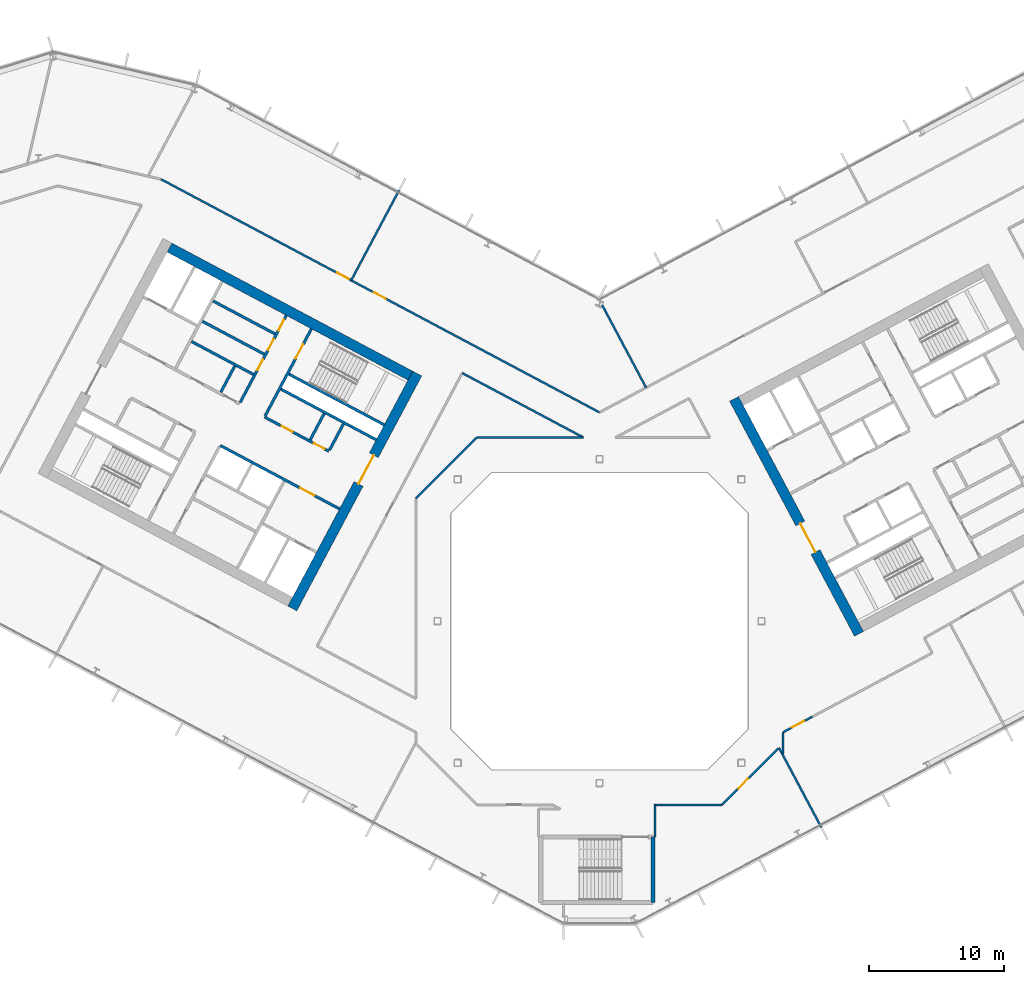
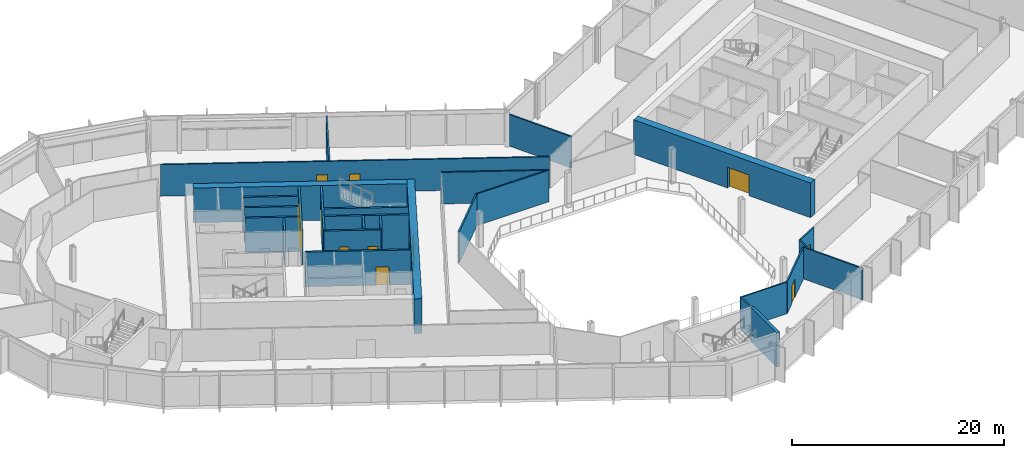
# One storey, part 15 of 28: 28 walls, 13 doors, 13 openings.
"""IFC4 building model written with IfcOpenShell, lengths in metres."""

from ifc_helpers import new_model, si_unit, direction, frame, frame_2d, origin, place, context, subcontext, project, spatial, rectangle, extrude, material, layer, layer_set, type_object, element, fill, save


model = new_model("IFC4")

# Units and contexts
model_context = context("Model", 3, precision=1e-05, world=origin(), true_north=direction((0.0, 1.0)))
body_context = subcontext(model_context, "Body", "Model", "MODEL_VIEW")
ifc_project = project(units=[si_unit("LENGTHUNIT", "METRE"), si_unit("AREAUNIT", "SQUARE_METRE"), si_unit("VOLUMEUNIT", "CUBIC_METRE"), si_unit("PLANEANGLEUNIT", "RADIAN"), si_unit("MASSUNIT", "GRAM", prefix="KILO")], contexts=[model_context])

# Site, building, storey
site_placement = place(None, origin())
site = spatial("IfcSite", under=ifc_project, at=site_placement, CompositionType="ELEMENT")
building_placement = place(site_placement, origin())
building = spatial("IfcBuilding", under=site, at=building_placement, Name="Cormorant Relay Tower", CompositionType="ELEMENT")
storey_placement = place(building_placement, frame((0.0, 0.0, 150.199951171875)))
storey = spatial("IfcBuildingStorey", under=building, at=storey_placement, Name="L31", CompositionType="ELEMENT", Elevation=150.199951171875)

# Walls
ifc_material_1 = material(Name="Concrete 40 MPa", Category="concrete")
ifc_layer_1 = layer(ifc_material_1, 0.199951171875)
ifc_layer_set_1 = layer_set([ifc_layer_1], Name="Core internal wall 200")
wall_type_1 = type_object("IfcWallType", Name="Core internal wall 200", PredefinedType="SOLIDWALL", material=ifc_layer_set_1)
for number, where, z_axis, x_axis, name in (
    (1, (-20.39013671875, 15.371826171875, 0.0), (0.0, 0.0, 1.0), (-0.4694473164, -0.882960484464, 0.0), "L31 core A shaft and room wall"),
    (2, (-27.01220703125, 18.892822265625, 0.0), (0.0, 0.0, 1.0), (-0.4694473164, -0.882960484464, 0.0), "L31 core A shaft and room wall"),
):
    element("IfcWall", number, at=place(storey_placement, frame(where, z_axis=z_axis, x_axis=x_axis)), inside=storey, type_object=wall_type_1, Name=name, PredefinedType="SOLIDWALL", context=body_context, shape_type="SweptSolid", body=[
        extrude(rectangle(XDim=2.199951171875, YDim=0.199951171875, at=frame_2d((1.10009765625, 0.0))), origin(), (0.0, 0.0, 1.0), 4.0),
    ])
for number, where, z_axis, x_axis, name in (
    (3, (-24.02685546875, 21.26953125, 0.0), (0.0, 0.0, 1.0), (-0.882934506056, 0.469496174655, 0.0), "L31 core A shaft and room wall"),
    (4, (-24.824951171875, 19.7685546875, 0.0), (0.0, 0.0, 1.0), (-0.882934506056, 0.469496174655, 0.0), "L31 core A shaft and room wall"),
):
    element("IfcWall", number, at=place(storey_placement, frame(where, z_axis=z_axis, x_axis=x_axis)), inside=storey, type_object=wall_type_1, Name=name, PredefinedType="SOLIDWALL", context=body_context, shape_type="SweptSolid", body=[
        extrude(rectangle(XDim=5.199951171875, YDim=0.199951171875, at=frame_2d((2.60009765625, 0.0))), origin(), (0.0, 0.0, 1.0), 4.0),
    ])
ifc_material_2 = material(Name="Concrete 50 MPa", Category="concrete")
ifc_layer_2 = layer(ifc_material_2, 0.199951171875)
ifc_layer_set_2 = layer_set([ifc_layer_2], Name="Core shaft wall 200")
wall_type_2 = type_object("IfcWallType", Name="Core shaft wall 200", PredefinedType="SHEAR", material=ifc_layer_set_2)
wall_1_placement = place(storey_placement, frame((-18.959716796875, 14.611328125, 0.0), z_axis=(0.0, 0.0, 1.0), x_axis=(-0.4694473164, -0.882960484464, 0.0)))
element("IfcWall", 5, at=wall_1_placement, inside=storey, type_object=wall_type_2, Name="L31 core A shaft wall", PredefinedType="SHEAR", context=body_context, shape_type="SweptSolid", body=[
    extrude(rectangle(XDim=2.199951171875, YDim=0.199951171875, at=frame_2d((1.10009765625, 0.0))), origin(), (0.0, 0.0, 1.0), 4.0),
])

# Wall, opening, door
wall_2_placement = place(storey_placement, frame((-21.333251953125, 21.6494140625, 0.0), z_axis=(0.0, 0.0, 1.0), x_axis=(-0.469494272526, -0.882935517501, 0.0)))
wall_2 = element("IfcWall", 6, at=wall_2_placement, inside=storey, type_object=wall_type_2, Name="L31 core A shaft wall", PredefinedType="SHEAR", context=body_context, shape_type="SweptSolid", body=[
    extrude(rectangle(XDim=7.2998046875, YDim=0.199951171875, at=frame_2d((3.64990234375, 0.0))), origin(), (0.0, 0.0, 1.0), 4.0),
])
opening_1_placement = place(wall_2_placement, frame((1.300048828125, 0.0, 0.0)))
opening_1 = element("IfcOpeningElement", 7, at=opening_1_placement, cuts=wall_2, Name="Opening CDB-034", PredefinedType="OPENING", context=body_context, shape_type="SweptSolid", body=[
    extrude(rectangle(XDim=1.199951171875, YDim=2.10009765625, at=frame_2d((0.60009765625, 1.050048828125))), frame((0.0, 0.10986328125, 0.0), z_axis=(0.0, -1.0, 0.0), x_axis=(1.0, 0.0, 0.0)), (0.0, 0.0, 1.0), 0.219970703125),
])
ifc_material_3 = material(Name="Steel fire door", Category="steel")
door_type_1 = type_object("IfcDoorType", Name="Core stair door 1200x2100", OperationType="SINGLE_SWING_LEFT", PredefinedType="DOOR", material=ifc_material_3)
door_1_placement = place(opening_1_placement, origin())
door_1 = element("IfcDoor", 8, at=door_1_placement, inside=storey, type_object=door_type_1, Name="Core stair door 1200x2100", OperationType="SINGLE_SWING_RIGHT", OverallHeight=2.10009765625, OverallWidth=1.199951171875, PredefinedType="DOOR", context=body_context, shape_type="SweptSolid", body=[
    extrude(rectangle(XDim=1.199951171875, YDim=2.10009765625, at=frame_2d((0.60009765625, 1.050048828125))), frame((0.0, 0.02490234375, 0.0), z_axis=(0.0, -1.0, 0.0), x_axis=(1.0, 0.0, 0.0)), (0.0, 0.0, 1.0), 0.050048828125),
])
fill(opening_1, door_1)

# Wall, openings, doors
wall_3_placement = place(storey_placement, frame((-23.1875, 22.635498046875, 0.0), z_axis=(0.0, 0.0, 1.0), x_axis=(-0.469454336211, -0.882956752176, 0.0)))
wall_3 = element("IfcWall", 9, at=wall_3_placement, inside=storey, type_object=wall_type_2, Name="L31 core A shaft wall", PredefinedType="SHEAR", context=body_context, shape_type="SweptSolid", body=[
    extrude(rectangle(XDim=7.300048828125, YDim=0.199951171875, at=frame_2d((3.64990234375, 0.0))), origin(), (0.0, 0.0, 1.0), 4.0),
])
opening_2_placement = place(wall_3_placement, frame((0.35009765625, 0.0, 0.0)))
opening_2 = element("IfcOpeningElement", 10, at=opening_2_placement, cuts=wall_3, Name="Opening CDD-198", PredefinedType="OPENING", context=body_context, shape_type="SweptSolid", body=[
    extrude(rectangle(XDim=0.89990234375, YDim=2.10009765625, at=frame_2d((0.449951171875, 1.050048828125))), frame((0.0, 0.10986328125, 0.0), z_axis=(0.0, -1.0, 0.0), x_axis=(1.0, 0.0, 0.0)), (0.0, 0.0, 1.0), 0.219970703125),
])
opening_3_placement = place(wall_3_placement, frame((2.0, 0.0, 0.0)))
opening_3 = element("IfcOpeningElement", 11, at=opening_3_placement, cuts=wall_3, Name="Opening CDD-199", PredefinedType="OPENING", context=body_context, shape_type="SweptSolid", body=[
    extrude(rectangle(XDim=0.89990234375, YDim=2.10009765625, at=frame_2d((0.449951171875, 1.050048828125))), frame((0.0, 0.10986328125, 0.0), z_axis=(0.0, -1.0, 0.0), x_axis=(1.0, 0.0, 0.0)), (0.0, 0.0, 1.0), 0.219970703125),
])
opening_4_placement = place(wall_3_placement, frame((3.699951171875, 0.0, 0.0)))
opening_4 = element("IfcOpeningElement", 12, at=opening_4_placement, cuts=wall_3, Name="Opening CDD-200", PredefinedType="OPENING", context=body_context, shape_type="SweptSolid", body=[
    extrude(rectangle(XDim=0.89990234375, YDim=2.10009765625, at=frame_2d((0.449951171875, 1.050048828125))), frame((0.0, 0.10986328125, 0.0), z_axis=(0.0, -1.0, 0.0), x_axis=(1.0, 0.0, 0.0)), (0.0, 0.0, 1.0), 0.219970703125),
])
ifc_material_4 = material(Name="Steel fire door", Category="steel")
door_type_2 = type_object("IfcDoorType", Name="Core room door 900x2100", OperationType="SINGLE_SWING_LEFT", PredefinedType="DOOR", material=ifc_material_4)
door_2_placement = place(opening_2_placement, origin())
door_2 = element("IfcDoor", 13, at=door_2_placement, inside=storey, type_object=door_type_2, Name="Core room door 900x2100", OperationType="SINGLE_SWING_LEFT", OverallHeight=2.10009765625, OverallWidth=0.89990234375, PredefinedType="DOOR", context=body_context, shape_type="SweptSolid", body=[
    extrude(rectangle(XDim=0.89990234375, YDim=2.10009765625, at=frame_2d((0.449951171875, 1.050048828125))), frame((0.0, 0.02490234375, 0.0), z_axis=(0.0, -1.0, 0.0), x_axis=(1.0, 0.0, 0.0)), (0.0, 0.0, 1.0), 0.050048828125),
])
fill(opening_2, door_2)
door_3_placement = place(opening_3_placement, origin())
door_3 = element("IfcDoor", 14, at=door_3_placement, inside=storey, type_object=door_type_2, Name="Core room door 900x2100", OperationType="SINGLE_SWING_LEFT", OverallHeight=2.10009765625, OverallWidth=0.89990234375, PredefinedType="DOOR", context=body_context, shape_type="SweptSolid", body=[
    extrude(rectangle(XDim=0.89990234375, YDim=2.10009765625, at=frame_2d((0.449951171875, 1.050048828125))), frame((0.0, 0.02490234375, 0.0), z_axis=(0.0, -1.0, 0.0), x_axis=(1.0, 0.0, 0.0)), (0.0, 0.0, 1.0), 0.050048828125),
])
fill(opening_3, door_3)
door_4_placement = place(opening_4_placement, origin())
door_4 = element("IfcDoor", 15, at=door_4_placement, inside=storey, type_object=door_type_2, Name="Core room door 900x2100", OperationType="SINGLE_SWING_LEFT", OverallHeight=2.10009765625, OverallWidth=0.89990234375, PredefinedType="DOOR", context=body_context, shape_type="SweptSolid", body=[
    extrude(rectangle(XDim=0.89990234375, YDim=2.10009765625, at=frame_2d((0.449951171875, 1.050048828125))), frame((0.0, 0.02490234375, 0.0), z_axis=(0.0, -1.0, 0.0), x_axis=(1.0, 0.0, 0.0)), (0.0, 0.0, 1.0), 0.050048828125),
])
fill(opening_4, door_4)

# Walls
wall_4_placement = place(storey_placement, frame((-15.94189453125, 14.53564453125, 0.0), z_axis=(0.0, 0.0, 1.0), x_axis=(-0.882946947542, 0.469472776449, 0.0)))
element("IfcWall", 16, at=wall_4_placement, inside=storey, type_object=wall_type_2, Name="L31 core A shaft wall", PredefinedType="SHEAR", context=body_context, shape_type="SweptSolid", body=[
    extrude(rectangle(XDim=8.000244140625, YDim=0.199951171875, at=frame_2d((4.0, 0.0))), origin(), (0.0, 0.0, 1.0), 4.0),
])
wall_5_placement = place(storey_placement, frame((-16.52880859375, 13.43212890625, 0.0), z_axis=(0.0, 0.0, 1.0), x_axis=(-0.88295287151, 0.469461634952, 0.0)))
element("IfcWall", 17, at=wall_5_placement, inside=storey, type_object=wall_type_2, Name="L31 core A shaft wall", PredefinedType="SHEAR", context=body_context, shape_type="SweptSolid", body=[
    extrude(rectangle(XDim=7.999755859375, YDim=0.199951171875, at=frame_2d((4.0, 0.0))), origin(), (0.0, 0.0, 1.0), 4.0),
])
wall_6_placement = place(storey_placement, frame((-25.623046875, 18.267578125, 0.0), z_axis=(0.0, 0.0, 1.0), x_axis=(-0.882953967957, 0.469459572775, 0.0)))
element("IfcWall", 18, at=wall_6_placement, inside=storey, type_object=wall_type_2, Name="L31 core A shaft wall", PredefinedType="SHEAR", context=body_context, shape_type="SweptSolid", body=[
    extrude(rectangle(XDim=5.199951171875, YDim=0.199951171875, at=frame_2d((2.60009765625, 0.0))), origin(), (0.0, 0.0, 1.0), 4.0),
])

# Wall, openings, doors
wall_7_placement = place(storey_placement, frame((-20.03955078125, 12.58056640625, 0.0), z_axis=(0.0, 0.0, 1.0), x_axis=(-0.882942972946, 0.469480251476, 0.0)))
wall_7 = element("IfcWall", 19, at=wall_7_placement, inside=storey, type_object=wall_type_2, Name="L31 core A shaft wall", PredefinedType="SHEAR", context=body_context, shape_type="SweptSolid", body=[
    extrude(rectangle(XDim=5.39990234375, YDim=0.199951171875, at=frame_2d((2.699951171875, 0.0))), origin(), (0.0, 0.0, 1.0), 4.0),
])
opening_5_placement = place(wall_7_placement, frame((0.360107421875, 0.0, 0.0)))
opening_5 = element("IfcOpeningElement", 20, at=opening_5_placement, cuts=wall_7, Name="Opening CDD-168", PredefinedType="OPENING", context=body_context, shape_type="SweptSolid", body=[
    extrude(rectangle(XDim=0.89990234375, YDim=2.10009765625, at=frame_2d((0.449951171875, 1.050048828125))), frame((0.0, 0.10986328125, 0.0), z_axis=(0.0, -1.0, 0.0), x_axis=(1.0, 0.0, 0.0)), (0.0, 0.0, 1.0), 0.219970703125),
])
opening_6_placement = place(wall_7_placement, frame((3.06005859375, 0.0, 0.0)))
opening_6 = element("IfcOpeningElement", 21, at=opening_6_placement, cuts=wall_7, Name="Opening CDD-169", PredefinedType="OPENING", context=body_context, shape_type="SweptSolid", body=[
    extrude(rectangle(XDim=0.89990234375, YDim=2.10009765625, at=frame_2d((0.449951171875, 1.050048828125))), frame((0.0, 0.10986328125, 0.0), z_axis=(0.0, -1.0, 0.0), x_axis=(1.0, 0.0, 0.0)), (0.0, 0.0, 1.0), 0.219970703125),
])
door_5_placement = place(opening_5_placement, origin())
door_5 = element("IfcDoor", 22, at=door_5_placement, inside=storey, type_object=door_type_2, Name="Core room door 900x2100", OperationType="SINGLE_SWING_LEFT", OverallHeight=2.10009765625, OverallWidth=0.89990234375, PredefinedType="DOOR", context=body_context, shape_type="SweptSolid", body=[
    extrude(rectangle(XDim=0.89990234375, YDim=2.10009765625, at=frame_2d((0.449951171875, 1.050048828125))), frame((0.0, 0.02490234375, 0.0), z_axis=(0.0, -1.0, 0.0), x_axis=(1.0, 0.0, 0.0)), (0.0, 0.0, 1.0), 0.050048828125),
])
fill(opening_5, door_5)
door_6_placement = place(opening_6_placement, origin())
door_6 = element("IfcDoor", 23, at=door_6_placement, inside=storey, type_object=door_type_2, Name="Core room door 900x2100", OperationType="SINGLE_SWING_LEFT", OverallHeight=2.10009765625, OverallWidth=0.89990234375, PredefinedType="DOOR", context=body_context, shape_type="SweptSolid", body=[
    extrude(rectangle(XDim=0.89990234375, YDim=2.10009765625, at=frame_2d((0.449951171875, 1.050048828125))), frame((0.0, 0.02490234375, 0.0), z_axis=(0.0, -1.0, 0.0), x_axis=(1.0, 0.0, 0.0)), (0.0, 0.0, 1.0), 0.050048828125),
])
fill(opening_6, door_6)

# Wall, opening, door
wall_8_placement = place(storey_placement, frame((-19.251708984375, 8.31103515625, 0.0), z_axis=(0.0, 0.0, 1.0), x_axis=(-0.882955722218, 0.469456273365, 0.0)))
wall_8 = element("IfcWall", 24, at=wall_8_placement, inside=storey, type_object=wall_type_2, Name="L31 core A shaft wall", PredefinedType="SHEAR", context=body_context, shape_type="SweptSolid", body=[
    extrude(rectangle(XDim=10.0, YDim=0.199951171875, at=frame_2d((5.0, 0.0))), origin(), (0.0, 0.0, 1.0), 4.0),
])
opening_7_placement = place(wall_8_placement, frame((2.10009765625, 0.0, 0.0)))
opening_7 = element("IfcOpeningElement", 25, at=opening_7_placement, cuts=wall_8, Name="Opening CDC-025", PredefinedType="OPENING", context=body_context, shape_type="SweptSolid", body=[
    extrude(rectangle(XDim=1.199951171875, YDim=2.10009765625, at=frame_2d((0.60009765625, 1.050048828125))), frame((0.0, 0.10986328125, 0.0), z_axis=(0.0, -1.0, 0.0), x_axis=(1.0, 0.0, 0.0)), (0.0, 0.0, 1.0), 0.219970703125),
])
ifc_material_5 = material(Name="Steel fire door", Category="steel")
door_type_3 = type_object("IfcDoorType", Name="Core lobby door 1200x2100", OperationType="SINGLE_SWING_LEFT", PredefinedType="DOOR", material=ifc_material_5)
door_7_placement = place(opening_7_placement, origin())
door_7 = element("IfcDoor", 26, at=door_7_placement, inside=storey, type_object=door_type_3, Name="Core lobby door 1200x2100", OperationType="SINGLE_SWING_RIGHT", OverallHeight=2.10009765625, OverallWidth=1.199951171875, PredefinedType="DOOR", context=body_context, shape_type="SweptSolid", body=[
    extrude(rectangle(XDim=1.199951171875, YDim=2.10009765625, at=frame_2d((0.60009765625, 1.050048828125))), frame((0.0, 0.02490234375, 0.0), z_axis=(0.0, -1.0, 0.0), x_axis=(1.0, 0.0, 0.0)), (0.0, 0.0, 1.0), 0.050048828125),
])
fill(opening_7, door_7)

ifc_material_6 = material(Name="Concrete 60 MPa", Category="concrete")
ifc_layer_3 = layer(ifc_material_6, 0.75)
ifc_layer_set_3 = layer_set([ifc_layer_3], Name="Core wall 750")
wall_type_3 = type_object("IfcWallType", Name="Core wall 750", PredefinedType="SHEAR", material=ifc_layer_set_3)
wall_9_placement = place(storey_placement, frame((-13.498291015625, 18.3330078125, 0.0), z_axis=(0.0, 0.0, 1.0), x_axis=(-0.469469918705, -0.88294846703, 0.0)))
wall_9 = element("IfcWall", 27, at=wall_9_placement, inside=storey, type_object=wall_type_3, Name="L31 core A wall", PredefinedType="SHEAR", context=body_context, shape_type="SweptSolid", body=[
    extrude(rectangle(XDim=19.699951171875, YDim=0.75, at=frame_2d((9.85009765625, 0.0))), origin(), (0.0, 0.0, 1.0), 4.0),
])
opening_8_placement = place(wall_9_placement, frame((6.85009765625, 0.0, 0.0)))
opening_8 = element("IfcOpeningElement", 28, at=opening_8_placement, cuts=wall_9, Name="Opening CDA-026", PredefinedType="OPENING", context=body_context, shape_type="SweptSolid", body=[
    extrude(rectangle(XDim=2.39990234375, YDim=2.39990234375, at=frame_2d((1.199951171875, 1.199951171875))), frame((0.0, 0.385009765625, 0.0), z_axis=(0.0, -1.0, 0.0), x_axis=(1.0, 0.0, 0.0)), (0.0, 0.0, 1.0), 0.77001953125),
])
ifc_material_7 = material(Name="Steel fire door", Category="steel")
door_type_4 = type_object("IfcDoorType", Name="Core lobby door 2400x2400", OperationType="DOUBLE_DOOR_SINGLE_SWING", PredefinedType="DOOR", material=ifc_material_7)
door_8_placement = place(opening_8_placement, origin())
door_8 = element("IfcDoor", 29, at=door_8_placement, inside=storey, type_object=door_type_4, Name="Core lobby door 2400x2400", OperationType="DOUBLE_DOOR_SINGLE_SWING", OverallHeight=2.39990234375, OverallWidth=2.39990234375, PredefinedType="DOOR", context=body_context, shape_type="SweptSolid", body=[
    extrude(rectangle(XDim=2.39990234375, YDim=2.39990234375, at=frame_2d((1.199951171875, 1.199951171875))), frame((0.0, 0.02490234375, 0.0), z_axis=(0.0, -1.0, 0.0), x_axis=(1.0, 0.0, 0.0)), (0.0, 0.0, 1.0), 0.050048828125),
])
fill(opening_8, door_8)

# Wall
wall_10_placement = place(storey_placement, frame((-14.00537109375, 18.177978515625, 0.0), z_axis=(0.0, 0.0, 1.0), x_axis=(-0.88295010195, 0.469466843842, 0.0)))
element("IfcWall", 30, at=wall_10_placement, inside=storey, type_object=wall_type_3, Name="L31 core A wall", PredefinedType="SHEAR", context=body_context, shape_type="SweptSolid", body=[
    extrude(rectangle(XDim=20.199951171875, YDim=0.75, at=frame_2d((10.10009765625, 0.0))), origin(), (0.0, 0.0, 1.0), 4.0),
])

# Wall, opening, door
wall_11_placement = place(storey_placement, frame((19.215087890625, -0.93896484375, 0.0), z_axis=(0.0, 0.0, 1.0), x_axis=(-0.469479580143, 0.882943329908, 0.0)))
wall_11 = element("IfcWall", 31, at=wall_11_placement, inside=storey, type_object=wall_type_3, Name="L31 core B wall", PredefinedType="SHEAR", context=body_context, shape_type="SweptSolid", body=[
    extrude(rectangle(XDim=19.699951171875, YDim=0.75, at=frame_2d((9.85009765625, 0.0))), origin(), (0.0, 0.0, 1.0), 4.0),
])
opening_9_placement = place(wall_11_placement, frame((6.85009765625, 0.0, 0.0)))
opening_9 = element("IfcOpeningElement", 32, at=opening_9_placement, cuts=wall_11, Name="Opening CDA-028", PredefinedType="OPENING", context=body_context, shape_type="SweptSolid", body=[
    extrude(rectangle(XDim=2.39990234375, YDim=2.39990234375, at=frame_2d((1.199951171875, 1.199951171875))), frame((0.0, 0.385009765625, 0.0), z_axis=(0.0, -1.0, 0.0), x_axis=(1.0, 0.0, 0.0)), (0.0, 0.0, 1.0), 0.77001953125),
])
door_9_placement = place(opening_9_placement, frame((2.39990234375, 0.0, 0.0), z_axis=(0.0, 0.0, 1.0), x_axis=(-1.0, 0.0, 0.0)))
door_9 = element("IfcDoor", 33, at=door_9_placement, inside=storey, type_object=door_type_4, Name="Core lobby door 2400x2400", OperationType="DOUBLE_DOOR_SINGLE_SWING", OverallHeight=2.39990234375, OverallWidth=2.39990234375, PredefinedType="DOOR", context=body_context, shape_type="SweptSolid", body=[
    extrude(rectangle(XDim=2.39990234375, YDim=2.39990234375, at=frame_2d((1.199951171875, 1.199951171875))), frame((0.0, 0.02490234375, 0.0), z_axis=(0.0, -1.0, 0.0), x_axis=(1.0, 0.0, 0.0)), (0.0, 0.0, 1.0), 0.050048828125),
])
fill(opening_9, door_9)

# Wall, openings, doors
ifc_material_8 = material(Name="Gypsum board fire partition")
ifc_layer_4 = layer(ifc_material_8, 0.14990234375)
ifc_layer_set_4 = layer_set([ifc_layer_4], Name="Corridor partition 150 EI 60")
wall_type_4 = type_object("IfcWallType", Name="Corridor partition 150 EI 60", PredefinedType="PARTITIONING", material=ifc_layer_set_4)
wall_12_placement = place(storey_placement, frame((-32.469970703125, 32.72412109375, 0.0), z_axis=(0.0, 0.0, 1.0), x_axis=(0.88295243426, -0.469462457321, 0.0)))
wall_12 = element("IfcWall", 34, at=wall_12_placement, inside=storey, type_object=wall_type_4, Name="wall/L31/part/032", PredefinedType="PARTITIONING", context=body_context, shape_type="SweptSolid", body=[
    extrude(rectangle(XDim=36.7744140625, YDim=0.14990234375, at=frame_2d((18.38720703125, 0.0))), origin(), (0.0, 0.0, 1.0), 3.64013671875),
])
opening_10_placement = place(wall_12_placement, frame((17.85009765625, 0.0, 0.0)))
opening_10 = element("IfcOpeningElement", 35, at=opening_10_placement, cuts=wall_12, Name="Opening DS-040", PredefinedType="OPENING", context=body_context, shape_type="SweptSolid", body=[
    extrude(rectangle(XDim=1.0, YDim=2.10009765625, at=frame_2d((0.5, 1.050048828125))), frame((0.0, 0.0849609375, 0.0), z_axis=(0.0, -1.0, 0.0), x_axis=(1.0, 0.0, 0.0)), (0.0, 0.0, 1.0), 0.169921875),
])
opening_11_placement = place(wall_12_placement, frame((14.75, 0.0, 0.0)))
opening_11 = element("IfcOpeningElement", 36, at=opening_11_placement, cuts=wall_12, Name="Opening DS-041", PredefinedType="OPENING", context=body_context, shape_type="SweptSolid", body=[
    extrude(rectangle(XDim=1.0, YDim=2.10009765625, at=frame_2d((0.5, 1.050048828125))), frame((0.0, 0.0849609375, 0.0), z_axis=(0.0, -1.0, 0.0), x_axis=(1.0, 0.0, 0.0)), (0.0, 0.0, 1.0), 0.169921875),
])
ifc_material_9 = material(Name="Timber door leaf", Category="wood")
door_type_5 = type_object("IfcDoorType", Name="Suite door 1000x2100", OperationType="SINGLE_SWING_LEFT", PredefinedType="DOOR", material=ifc_material_9)
door_10_placement = place(opening_10_placement, origin())
door_10 = element("IfcDoor", 37, at=door_10_placement, inside=storey, type_object=door_type_5, Name="door/L31/009", OperationType="SINGLE_SWING_RIGHT", OverallHeight=2.10009765625, OverallWidth=1.0, PredefinedType="DOOR", context=body_context, shape_type="SweptSolid", body=[
    extrude(rectangle(XDim=1.0, YDim=2.10009765625, at=frame_2d((0.5, 1.050048828125))), frame((0.0, 0.02490234375, 0.0), z_axis=(0.0, -1.0, 0.0), x_axis=(1.0, 0.0, 0.0)), (0.0, 0.0, 1.0), 0.050048828125),
])
fill(opening_10, door_10)
door_11_placement = place(opening_11_placement, origin())
door_11 = element("IfcDoor", 38, at=door_11_placement, inside=storey, type_object=door_type_5, Name="door/L31/010", OperationType="SINGLE_SWING_RIGHT", OverallHeight=2.10009765625, OverallWidth=1.0, PredefinedType="DOOR", context=body_context, shape_type="SweptSolid", body=[
    extrude(rectangle(XDim=1.0, YDim=2.10009765625, at=frame_2d((0.5, 1.050048828125))), frame((0.0, 0.02490234375, 0.0), z_axis=(0.0, -1.0, 0.0), x_axis=(1.0, 0.0, 0.0)), (0.0, 0.0, 1.0), 0.050048828125),
])
fill(opening_11, door_11)

# Wall, opening, door
wall_13_placement = place(storey_placement, frame((13.23291015625, -9.444091796875, 0.0), z_axis=(0.0, 0.0, 1.0), x_axis=(-0.707106781187, -0.707106781187, 0.0)))
wall_13 = element("IfcWall", 39, at=wall_13_placement, inside=storey, type_object=wall_type_4, Name="wall/L31/part/044", PredefinedType="PARTITIONING", context=body_context, shape_type="SweptSolid", body=[
    extrude(rectangle(XDim=5.87744140625, YDim=0.14990234375, at=frame_2d((2.938720703125, 0.0))), origin(), (0.0, 0.0, 1.0), 3.64013671875),
])
opening_12_placement = place(wall_13_placement, frame((3.14990234375, 0.0, 0.0)))
opening_12 = element("IfcOpeningElement", 40, at=opening_12_placement, cuts=wall_13, Name="Opening DS-036", PredefinedType="OPENING", context=body_context, shape_type="SweptSolid", body=[
    extrude(rectangle(XDim=1.0, YDim=2.10009765625, at=frame_2d((0.5, 1.050048828125))), frame((0.0, 0.0849609375, 0.0), z_axis=(0.0, -1.0, 0.0), x_axis=(1.0, 0.0, 0.0)), (0.0, 0.0, 1.0), 0.169921875),
])
door_12_placement = place(opening_12_placement, origin())
door_12 = element("IfcDoor", 41, at=door_12_placement, inside=storey, type_object=door_type_5, Name="door/L31/003", OperationType="SINGLE_SWING_LEFT", OverallHeight=2.10009765625, OverallWidth=1.0, PredefinedType="DOOR", context=body_context, shape_type="SweptSolid", body=[
    extrude(rectangle(XDim=1.0, YDim=2.10009765625, at=frame_2d((0.5, 1.050048828125))), frame((0.0, 0.02490234375, 0.0), z_axis=(0.0, -1.0, 0.0), x_axis=(1.0, 0.0, 0.0)), (0.0, 0.0, 1.0), 0.050048828125),
])
fill(opening_12, door_12)

# Walls
wall_14_placement = place(storey_placement, frame((9.076904296875, -13.60009765625, 0.0), z_axis=(0.0, 0.0, 1.0), x_axis=(-1.0, 0.0, 0.0)))
element("IfcWall", 42, at=wall_14_placement, inside=storey, type_object=wall_type_4, Name="wall/L31/part/045", PredefinedType="PARTITIONING", context=body_context, shape_type="SweptSolid", body=[
    extrude(rectangle(XDim=5.051025390625, YDim=0.14990234375, at=frame_2d((2.525390625, 0.0))), origin(), (0.0, 0.0, 1.0), 3.64013671875),
])
wall_15_placement = place(storey_placement, frame((4.10009765625, -15.97509765625, 0.0), z_axis=(0.0, 0.0, 1.0), x_axis=(0.0, 1.0, 0.0)))
element("IfcWall", 43, at=wall_15_placement, inside=storey, type_object=wall_type_4, Name="wall/L31/part/046", PredefinedType="PARTITIONING", context=body_context, shape_type="SweptSolid", body=[
    extrude(rectangle(XDim=2.35009765625, YDim=0.14990234375, at=frame_2d((1.175048828125, 0.0))), origin(), (0.0, 0.0, 1.0), 3.64013671875),
])
wall_16_placement = place(storey_placement, frame((13.60009765625, -8.2509765625, 0.0), z_axis=(0.0, 0.0, 1.0), x_axis=(0.0, -1.0, 0.0)))
element("IfcWall", 44, at=wall_16_placement, inside=storey, type_object=wall_type_4, Name="wall/L31/part/048", PredefinedType="PARTITIONING", context=body_context, shape_type="SweptSolid", body=[
    extrude(rectangle(XDim=1.594970703125, YDim=0.14990234375, at=frame_2d((0.79736328125, 0.0))), origin(), (0.0, 0.0, 1.0), 3.64013671875),
])

# Wall, opening, door
wall_17_placement = place(storey_placement, frame((13.60009765625, -8.22802734375, 0.0), z_axis=(0.0, 0.0, 1.0), x_axis=(0.882966268345, 0.46943643762, 0.0)))
wall_17 = element("IfcWall", 45, at=wall_17_placement, inside=storey, type_object=wall_type_4, Name="wall/L31/part/049", PredefinedType="PARTITIONING", context=body_context, shape_type="SweptSolid", body=[
    extrude(rectangle(XDim=2.4541015625, YDim=0.14990234375, at=frame_2d((1.22705078125, 0.0))), origin(), (0.0, 0.0, 1.0), 3.64013671875),
])
opening_13_placement = place(wall_17_placement, frame((0.75, 0.0, 0.0)))
opening_13 = element("IfcOpeningElement", 46, at=opening_13_placement, cuts=wall_17, Name="Opening DS-037", PredefinedType="OPENING", context=body_context, shape_type="SweptSolid", body=[
    extrude(rectangle(XDim=1.0, YDim=2.10009765625, at=frame_2d((0.5, 1.050048828125))), frame((0.0, 0.0849609375, 0.0), z_axis=(0.0, -1.0, 0.0), x_axis=(1.0, 0.0, 0.0)), (0.0, 0.0, 1.0), 0.169921875),
])
door_13_placement = place(opening_13_placement, frame((1.0, 0.0, 0.0), z_axis=(0.0, 0.0, 1.0), x_axis=(-1.0, 0.0, 0.0)))
door_13 = element("IfcDoor", 47, at=door_13_placement, inside=storey, type_object=door_type_5, Name="door/L31/004", OperationType="SINGLE_SWING_RIGHT", OverallHeight=2.10009765625, OverallWidth=1.0, PredefinedType="DOOR", context=body_context, shape_type="SweptSolid", body=[
    extrude(rectangle(XDim=1.0, YDim=2.10009765625, at=frame_2d((0.5, 1.050048828125))), frame((0.0, 0.02490234375, 0.0), z_axis=(0.0, -1.0, 0.0), x_axis=(1.0, 0.0, 0.0)), (0.0, 0.0, 1.0), 0.050048828125),
])
fill(opening_13, door_13)

# Walls
wall_18_placement = place(storey_placement, frame((-10.1640625, 18.3720703125, 0.0), z_axis=(0.0, 0.0, 1.0), x_axis=(0.882954583112, -0.469458415796, 0.0)))
element("IfcWall", 48, at=wall_18_placement, inside=storey, type_object=wall_type_4, Name="wall/L31/part/070", PredefinedType="PARTITIONING", context=body_context, shape_type="SweptSolid", body=[
    extrude(rectangle(XDim=10.164794921875, YDim=0.14990234375, at=frame_2d((5.08251953125, 0.0))), origin(), (0.0, 0.0, 1.0), 3.64013671875),
])
wall_19_placement = place(storey_placement, frame((-1.18896484375, 13.60009765625, 0.0), z_axis=(0.0, 0.0, 1.0), x_axis=(-1.0, 0.0, 0.0)))
element("IfcWall", 49, at=wall_19_placement, inside=storey, type_object=wall_type_4, Name="wall/L31/part/071", PredefinedType="PARTITIONING", context=body_context, shape_type="SweptSolid", body=[
    extrude(rectangle(XDim=7.887939453125, YDim=0.14990234375, at=frame_2d((3.94384765625, 0.0))), origin(), (0.0, 0.0, 1.0), 3.64013671875),
])
wall_20_placement = place(storey_placement, frame((-9.076904296875, 13.60009765625, 0.0), z_axis=(0.0, 0.0, 1.0), x_axis=(-0.707106781187, -0.707106781187, 0.0)))
element("IfcWall", 50, at=wall_20_placement, inside=storey, type_object=wall_type_4, Name="wall/L31/part/072", PredefinedType="PARTITIONING", context=body_context, shape_type="SweptSolid", body=[
    extrude(rectangle(XDim=6.396728515625, YDim=0.14990234375, at=frame_2d((3.1982421875, 0.0))), origin(), (0.0, 0.0, 1.0), 3.64013671875),
])
ifc_material_10 = material(Name="Concrete 50 MPa", Category="concrete")
ifc_layer_5 = layer(ifc_material_10, 0.300048828125)
ifc_layer_set_5 = layer_set([ifc_layer_5], Name="Remote stair wall 300")
wall_type_5 = type_object("IfcWallType", Name="Remote stair wall 300", PredefinedType="SHEAR", material=ifc_layer_set_5)
wall_21_placement = place(storey_placement, frame((3.949951171875, -15.97509765625, 0.0), z_axis=(0.0, 0.0, 1.0), x_axis=(0.0, -1.0, 0.0)))
element("IfcWall", 51, at=wall_21_placement, inside=storey, type_object=wall_type_5, Name="L31 exit stair RK1 wall", PredefinedType="SHEAR", context=body_context, shape_type="SweptSolid", body=[
    extrude(rectangle(XDim=4.849853515625, YDim=0.300048828125, at=frame_2d((2.4248046875, 0.0))), origin(), (0.0, 0.0, 1.0), 4.0),
])
ifc_material_11 = material(Name="Gypsum board partition")
ifc_layer_6 = layer(ifc_material_11, 0.14990234375)
ifc_layer_set_6 = layer_set([ifc_layer_6], Name="Tenant partition 150")
wall_type_6 = type_object("IfcWallType", Name="Tenant partition 150", PredefinedType="PARTITIONING", material=ifc_layer_set_6)
wall_22_placement = place(storey_placement, frame((-14.843994140625, 31.903076171875, 0.0), z_axis=(0.0, 0.0, 1.0), x_axis=(-0.469271860983, -0.883053747226, 0.0)))
element("IfcWall", 52, at=wall_22_placement, inside=storey, type_object=wall_type_6, Name="wall/L31/part/034", PredefinedType="PARTITIONING", context=body_context, shape_type="SweptSolid", body=[
    extrude(rectangle(XDim=7.550048828125, YDim=0.14990234375, at=frame_2d((3.77490234375, 0.0))), origin(), (0.0, 0.0, 1.0), 3.64013671875),
])
wall_23_placement = place(storey_placement, frame((0.19091796875, 23.422119140625, 0.0), z_axis=(0.0, 0.0, 1.0), x_axis=(0.46954180368, -0.882910241529, 0.0)))
element("IfcWall", 53, at=wall_23_placement, inside=storey, type_object=wall_type_6, Name="wall/L31/part/037", PredefinedType="PARTITIONING", context=body_context, shape_type="SweptSolid", body=[
    extrude(rectangle(XDim=6.94091796875, YDim=0.14990234375, at=frame_2d((3.470458984375, 0.0))), origin(), (0.0, 0.0, 1.0), 3.64013671875),
])
wall_24_placement = place(storey_placement, frame((13.294921875, -9.382080078125, 0.0), z_axis=(0.0, 0.0, 1.0), x_axis=(0.469560801687, -0.882900137908, 0.0)))
element("IfcWall", 54, at=wall_24_placement, inside=storey, type_object=wall_type_6, Name="wall/L31/part/047", PredefinedType="PARTITIONING", context=body_context, shape_type="SweptSolid", body=[
    extrude(rectangle(XDim=6.67431640625, YDim=0.14990234375, at=frame_2d((3.337158203125, 0.0))), origin(), (0.0, 0.0, 1.0), 3.64013671875),
])

save(model, "model.ifc")
